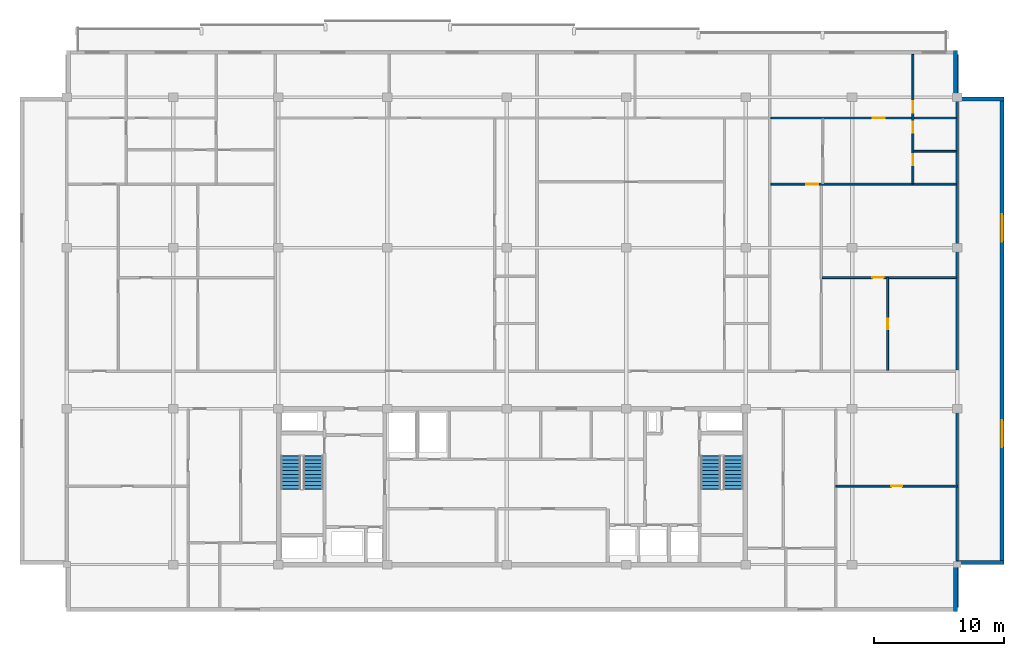
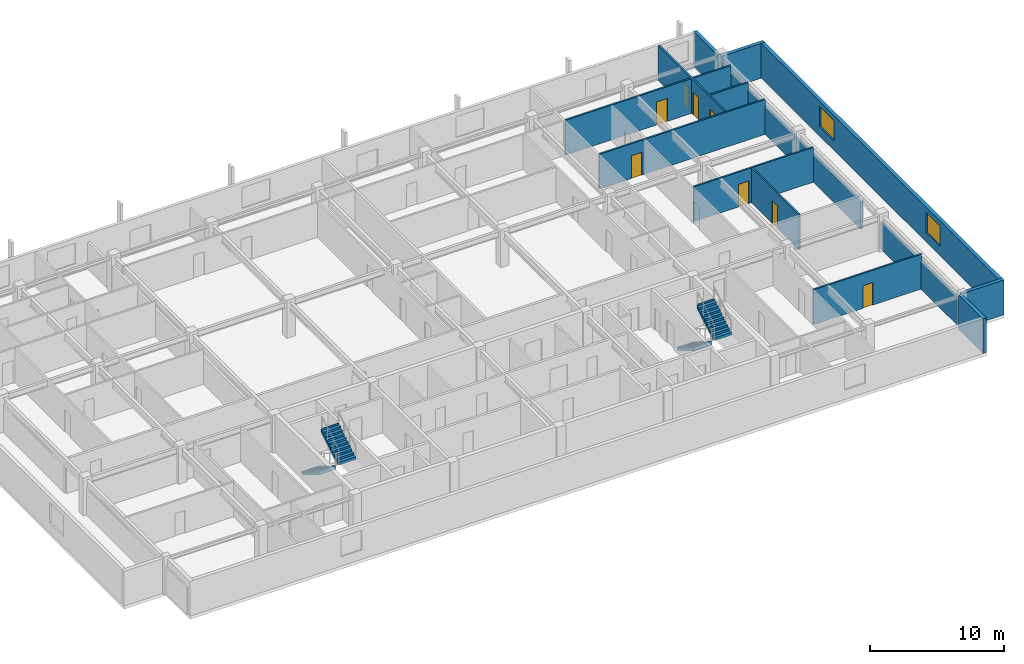
# One storey, part 8 of 10: 14 walls, 8 doors, 4 stair flights, 2 windows, 10 openings, 2 elements without a shape of their own.
"""IFC4 building model written with IfcOpenShell, lengths in metres."""

from ifc_helpers import new_model, si_unit, direction, frame, frame_2d, origin, place, context, subcontext, project, spatial, polyline, rectangle, outline, extrude, material, layer, layer_set, type_object, element, fill, aggregate, save


model = new_model("IFC4")

# Units and contexts
model_context = context("Model", 3, precision=1e-05, world=origin(), true_north=direction((0.0, 1.0)))
body_context = subcontext(model_context, "Body", "Model", "MODEL_VIEW")
ifc_project = project(units=[si_unit("LENGTHUNIT", "METRE"), si_unit("AREAUNIT", "SQUARE_METRE"), si_unit("VOLUMEUNIT", "CUBIC_METRE"), si_unit("PLANEANGLEUNIT", "RADIAN"), si_unit("MASSUNIT", "GRAM", prefix="KILO")], contexts=[model_context])

# Site, building, storey
site_placement = place(None, origin())
site = spatial("IfcSite", under=ifc_project, at=site_placement, CompositionType="ELEMENT")
building_placement = place(site_placement, origin())
building = spatial("IfcBuilding", under=site, at=building_placement, Name="Korimba Cascade Residences", CompositionType="ELEMENT")
storey_placement = place(building_placement, frame((0.0, 0.0, 239.0)))
storey = spatial("IfcBuildingStorey", under=building, at=storey_placement, Name="L69", CompositionType="ELEMENT", Elevation=239.0)

# Walls
ifc_material_1 = material(Name="Precast concrete C40/50", Category="concrete")
ifc_layer_1 = layer(ifc_material_1, 0.300048828125)
ifc_layer_set_1 = layer_set([ifc_layer_1], Name="Precast concrete C40/50")
wall_type_1 = type_object("IfcWallType", Name="EW-STONE-300", PredefinedType="STANDARD", material=ifc_layer_set_1)
wall_1_placement = place(storey_placement, frame((128.25, 51.60009765625, 0.0), z_axis=(0.0, 0.0, 1.0), x_axis=(0.0, 1.0, 0.0)))
element("IfcWall", 1, at=wall_1_placement, inside=storey, type_object=wall_type_1, Name="L69 T1 Perimeter Stone Wall E01", PredefinedType="STANDARD", context=body_context, shape_type="SweptSolid", body=[
    extrude(rectangle(XDim=3.599853515625, YDim=0.300048828125, at=frame_2d((1.7998046875, 0.0))), origin(), (0.0, 0.0, 1.0), 3.169921875),
])
wall_2_placement = place(storey_placement, frame((128.39990234375, 55.35009765625, 0.0), z_axis=(0.0, 0.0, 1.0), x_axis=(1.0, 0.0, 0.0)))
element("IfcWall", 2, at=wall_2_placement, inside=storey, type_object=wall_type_1, Name="L69 T1 Perimeter Stone Wall E02", PredefinedType="STANDARD", context=body_context, shape_type="SweptSolid", body=[
    extrude(rectangle(XDim=3.60009765625, YDim=0.300048828125, at=frame_2d((1.800048828125, 0.0))), origin(), (0.0, 0.0, 1.0), 3.169921875),
])

# Wall, openings, windows
wall_3_placement = place(storey_placement, frame((131.85009765625, 55.199951171875, 0.0), z_axis=(0.0, 0.0, 1.0), x_axis=(0.0, 1.0, 0.0)))
wall_3 = element("IfcWall", 3, at=wall_3_placement, inside=storey, type_object=wall_type_1, Name="L69 T1 Perimeter Stone Wall E03", PredefinedType="STANDARD", context=body_context, shape_type="SweptSolid", body=[
    extrude(rectangle(XDim=36.0, YDim=0.300048828125, at=frame_2d((18.0, 0.0))), origin(), (0.0, 0.0, 1.0), 3.169921875),
])
opening_1_placement = place(wall_3_placement, frame((9.030029296875, 0.0, 0.85009765625)))
opening_1 = element("IfcOpeningElement", 4, at=opening_1_placement, cuts=wall_3, Name="Opening W-03", PredefinedType="OPENING", context=body_context, shape_type="SweptSolid", body=[
    extrude(rectangle(XDim=2.10009765625, YDim=1.85009765625, at=frame_2d((1.050048828125, 0.925048828125))), frame((0.0, 0.16015625, 0.0), z_axis=(0.0, -1.0, 0.0), x_axis=(1.0, 0.0, 0.0)), (0.0, 0.0, 1.0), 0.320068359375),
])
opening_2_placement = place(wall_3_placement, frame((24.8701171875, 0.0, 0.85009765625)))
opening_2 = element("IfcOpeningElement", 5, at=opening_2_placement, cuts=wall_3, Name="Opening W-03", PredefinedType="OPENING", context=body_context, shape_type="SweptSolid", body=[
    extrude(rectangle(XDim=2.10009765625, YDim=1.85009765625, at=frame_2d((1.050048828125, 0.925048828125))), frame((0.0, 0.16015625, 0.0), z_axis=(0.0, -1.0, 0.0), x_axis=(1.0, 0.0, 0.0)), (0.0, 0.0, 1.0), 0.320068359375),
])
ifc_material_2 = material(Name="Double-Glazed Aluminium Window", Category="aluminium")
window_type = type_object("IfcWindowType", Name="WIN-CRN-2100", PartitioningType="DOUBLE_PANEL_HORIZONTAL", PredefinedType="WINDOW", material=ifc_material_2)
window_1_placement = place(opening_1_placement, origin())
window_1 = element("IfcWindow", 6, at=window_1_placement, inside=storey, type_object=window_type, Name="L69 T1 End View Window 3.1", OverallHeight=1.85009765625, OverallWidth=2.10009765625, PartitioningType="DOUBLE_PANEL_HORIZONTAL", PredefinedType="WINDOW", context=body_context, shape_type="SweptSolid", body=[
    extrude(rectangle(XDim=2.10009765625, YDim=1.85009765625, at=frame_2d((1.050048828125, 0.925048828125))), frame((0.0, 0.030029296875, 0.0), z_axis=(0.0, -1.0, 0.0), x_axis=(1.0, 0.0, 0.0)), (0.0, 0.0, 1.0), 0.06005859375),
])
fill(opening_1, window_1)
window_2_placement = place(opening_2_placement, origin())
window_2 = element("IfcWindow", 7, at=window_2_placement, inside=storey, type_object=window_type, Name="L69 T1 End View Window 3.2", OverallHeight=1.85009765625, OverallWidth=2.10009765625, PartitioningType="DOUBLE_PANEL_HORIZONTAL", PredefinedType="WINDOW", context=body_context, shape_type="SweptSolid", body=[
    extrude(rectangle(XDim=2.10009765625, YDim=1.85009765625, at=frame_2d((1.050048828125, 0.925048828125))), frame((0.0, 0.030029296875, 0.0), z_axis=(0.0, -1.0, 0.0), x_axis=(1.0, 0.0, 0.0)), (0.0, 0.0, 1.0), 0.06005859375),
])
fill(opening_2, window_2)

# Walls
for number, where, z_axis, x_axis, name in (
    (8, (132.0, 91.050048828125, 0.0), (0.0, 0.0, 1.0), (-1.0, 0.0, 0.0), "L69 T1 Perimeter Stone Wall E04"),
    (9, (128.25, 91.199951171875, 0.0), (0.0, 0.0, 1.0), (0.0, 1.0, 0.0), "L69 T1 Perimeter Stone Wall E05"),
):
    element("IfcWall", number, at=place(storey_placement, frame(where, z_axis=z_axis, x_axis=x_axis)), inside=storey, type_object=wall_type_1, Name=name, PredefinedType="STANDARD", context=body_context, shape_type="SweptSolid", body=[
        extrude(rectangle(XDim=3.60009765625, YDim=0.300048828125, at=frame_2d((1.800048828125, 0.0))), origin(), (0.0, 0.0, 1.0), 3.169921875),
    ])
ifc_layer_2 = layer(ifc_material_1, 0.199951171875)
ifc_layer_set_2 = layer_set([ifc_layer_2], Name="Precast concrete C40/50")
wall_type_2 = type_object("IfcWallType", Name="WAL-IT-200", PredefinedType="PARTITIONING", material=ifc_layer_set_2)
wall_4_placement = place(storey_placement, frame((128.39990234375, 51.89990234375, 0.0), z_axis=(0.0, 0.0, 1.0), x_axis=(0.0, 1.0, 0.0)))
element("IfcWall", 10, at=wall_4_placement, inside=storey, type_object=wall_type_2, Name="L69 Partition Wall WAL-L69-T1-FE-WR", PredefinedType="PARTITIONING", context=body_context, shape_type="SweptSolid", body=[
    extrude(rectangle(XDim=15.300048828125, YDim=0.199951171875, at=frame_2d((7.64990234375, 0.0))), origin(), (0.0, 0.0, 1.0), 2.47705078125),
])
wall_5_placement = place(storey_placement, frame((128.39990234375, 70.179931640625, 0.0), z_axis=(0.0, 0.0, 1.0), x_axis=(0.0, 1.0, 0.0)))
element("IfcWall", 11, at=wall_5_placement, inside=storey, type_object=wall_type_2, Name="L69 Partition Wall WAL-L69-T1-BNDWR", PredefinedType="PARTITIONING", context=body_context, shape_type="SweptSolid", body=[
    extrude(rectangle(XDim=24.320068359375, YDim=0.199951171875, at=frame_2d((12.16015625, 0.0))), origin(), (0.0, 0.0, 1.0), 2.47705078125),
])

# Wall, opening, door
ifc_material_3 = material(Name="Insulated Acoustic Stud Partition", Category="gypsum")
ifc_layer_3 = layer(ifc_material_3, 0.14990234375)
ifc_layer_set_3 = layer_set([ifc_layer_3], Name="Insulated Acoustic Stud Partition")
wall_type_3 = type_object("IfcWallType", Name="WAL-PART-150", PredefinedType="PARTITIONING", material=ifc_layer_set_3)
wall_6_placement = place(storey_placement, frame((119.050048828125, 61.25, 0.0), z_axis=(0.0, 0.0, 1.0), x_axis=(1.0, 0.0, 0.0)))
wall_6 = element("IfcWall", 12, at=wall_6_placement, inside=storey, type_object=wall_type_3, Name="L69 Partition Wall WAL-L69-T1-FE-STH", PredefinedType="PARTITIONING", context=body_context, shape_type="SweptSolid", body=[
    extrude(rectangle(XDim=9.349853515625, YDim=0.14990234375, at=frame_2d((4.6748046875, 0.0))), origin(), (0.0, 0.0, 1.0), 3.169921875),
])
opening_3_placement = place(wall_6_placement, frame((4.2548828125, 0.0, 0.0)))
opening_3 = element("IfcOpeningElement", 13, at=opening_3_placement, cuts=wall_6, Name="Opening D-BT1", PredefinedType="OPENING", context=body_context, shape_type="SweptSolid", body=[
    extrude(rectangle(XDim=0.840087890625, YDim=2.0400390625, at=frame_2d((0.419921875, 1.02001953125))), frame((0.0, 0.0849609375, 0.0), z_axis=(0.0, -1.0, 0.0), x_axis=(1.0, 0.0, 0.0)), (0.0, 0.0, 1.0), 0.169921875),
])
ifc_material_4 = material(Name="Moisture-Resistant Bathroom Timber Door", Category="wood")
door_type_1 = type_object("IfcDoorType", Name="DR-INT-850", OperationType="NOTDEFINED", PredefinedType="DOOR", material=ifc_material_4)
door_1_placement = place(opening_3_placement, origin())
door_1 = element("IfcDoor", 14, at=door_1_placement, inside=storey, type_object=door_type_1, Name="L69-T1-FE Dressing Store Door", OperationType="SINGLE_SWING_RIGHT", OverallHeight=2.0400390625, OverallWidth=0.840087890625, PredefinedType="DOOR", context=body_context, shape_type="SweptSolid", body=[
    extrude(rectangle(XDim=0.840087890625, YDim=2.0400390625, at=frame_2d((0.419921875, 1.02001953125))), frame((0.0, 0.02490234375, 0.0), z_axis=(0.0, -1.0, 0.0), x_axis=(1.0, 0.0, 0.0)), (0.0, 0.0, 1.0), 0.050048828125),
])
fill(opening_3, door_1)

wall_7_placement = place(storey_placement, frame((123.039306640625, 70.159912109375, 0.0), z_axis=(0.0, 0.0, 1.0), x_axis=(0.0, 1.0, 0.0)))
wall_7 = element("IfcWall", 15, at=wall_7_placement, inside=storey, type_object=wall_type_3, Name="L69 Partition Wall WAL-L69-T1-U04-FMV", PredefinedType="PARTITIONING", context=body_context, shape_type="SweptSolid", body=[
    extrude(rectangle(XDim=7.150146484375, YDim=0.14990234375, at=frame_2d((3.5751953125, 0.0))), origin(), (0.0, 0.0, 1.0), 3.169921875),
])
opening_4_placement = place(wall_7_placement, frame((3.155029296875, 0.0, 0.0)))
opening_4 = element("IfcOpeningElement", 16, at=opening_4_placement, cuts=wall_7, Name="Opening D-BT1", PredefinedType="OPENING", context=body_context, shape_type="SweptSolid", body=[
    extrude(rectangle(XDim=0.840087890625, YDim=2.0400390625, at=frame_2d((0.419921875, 1.02001953125))), frame((0.0, 0.0849609375, 0.0), z_axis=(0.0, -1.0, 0.0), x_axis=(1.0, 0.0, 0.0)), (0.0, 0.0, 1.0), 0.169921875),
])
door_2_placement = place(opening_4_placement, origin())
door_2 = element("IfcDoor", 17, at=door_2_placement, inside=storey, type_object=door_type_1, Name="L69-T1-U04 Wardrobe Door", OperationType="SINGLE_SWING_RIGHT", OverallHeight=2.0400390625, OverallWidth=0.840087890625, PredefinedType="DOOR", context=body_context, shape_type="SweptSolid", body=[
    extrude(rectangle(XDim=0.840087890625, YDim=2.0400390625, at=frame_2d((0.419921875, 1.02001953125))), frame((0.0, 0.02490234375, 0.0), z_axis=(0.0, -1.0, 0.0), x_axis=(1.0, 0.0, 0.0)), (0.0, 0.0, 1.0), 0.050048828125),
])
fill(opening_4, door_2)

wall_8_placement = place(storey_placement, frame((117.998779296875, 77.31005859375, 0.0), z_axis=(0.0, 0.0, 1.0), x_axis=(1.0, 0.0, 0.0)))
wall_8 = element("IfcWall", 18, at=wall_8_placement, inside=storey, type_object=wall_type_3, Name="L69 Partition Wall WAL-L69-T1-U04-FMH", PredefinedType="PARTITIONING", context=body_context, shape_type="SweptSolid", body=[
    extrude(rectangle(XDim=10.3212890625, YDim=0.14990234375, at=frame_2d((5.16064453125, 0.0))), origin(), (0.0, 0.0, 1.0), 3.169921875),
])
opening_5_placement = place(wall_8_placement, frame((3.868896484375, 0.0, 0.0)))
opening_5 = element("IfcOpeningElement", 19, at=opening_5_placement, cuts=wall_8, Name="Opening D-IN2", PredefinedType="OPENING", context=body_context, shape_type="SweptSolid", body=[
    extrude(rectangle(XDim=0.8798828125, YDim=2.06005859375, at=frame_2d((0.43994140625, 1.030029296875))), frame((0.0, 0.0849609375, 0.0), z_axis=(0.0, -1.0, 0.0), x_axis=(1.0, 0.0, 0.0)), (0.0, 0.0, 1.0), 0.169921875),
])
ifc_material_5 = material(Name="Acoustic Timber Bedroom Door", Category="wood")
door_type_2 = type_object("IfcDoorType", Name="DR-INT-880", OperationType="NOTDEFINED", PredefinedType="DOOR", material=ifc_material_5)
door_3_placement = place(opening_5_placement, origin())
door_3 = element("IfcDoor", 20, at=door_3_placement, inside=storey, type_object=door_type_2, Name="L69-T1-U04 Library Salon Door", OperationType="SINGLE_SWING_LEFT", OverallHeight=2.06005859375, OverallWidth=0.8798828125, PredefinedType="DOOR", context=body_context, shape_type="SweptSolid", body=[
    extrude(rectangle(XDim=0.8798828125, YDim=2.06005859375, at=frame_2d((0.43994140625, 1.030029296875))), frame((0.0, 0.02490234375, 0.0), z_axis=(0.0, -1.0, 0.0), x_axis=(1.0, 0.0, 0.0)), (0.0, 0.0, 1.0), 0.050048828125),
])
fill(opening_5, door_3)

# Wall
wall_9_placement = place(storey_placement, frame((125.0400390625, 87.0400390625, 0.0), z_axis=(0.0, 0.0, 1.0), x_axis=(1.0, 0.0, 0.0)))
element("IfcWall", 21, at=wall_9_placement, inside=storey, type_object=wall_type_3, Name="L69 Partition Wall WAL-L69-T1-U04-BLDIV", PredefinedType="PARTITIONING", context=body_context, shape_type="SweptSolid", body=[
    extrude(rectangle(XDim=3.280029296875, YDim=0.14990234375, at=frame_2d((1.64013671875, 0.0))), origin(), (0.0, 0.0, 1.0), 3.169921875),
])

# Wall, openings, doors
wall_10_placement = place(storey_placement, frame((124.97998046875, 84.5400390625, 0.0), z_axis=(0.0, 0.0, 1.0), x_axis=(0.0, 1.0, 0.0)))
wall_10 = element("IfcWall", 22, at=wall_10_placement, inside=storey, type_object=wall_type_3, Name="L69 Partition Wall WAL-L69-T1-U04-V1", PredefinedType="PARTITIONING", context=body_context, shape_type="SweptSolid", body=[
    extrude(rectangle(XDim=9.9599609375, YDim=0.14990234375, at=frame_2d((4.97998046875, 0.0))), origin(), (0.0, 0.0, 1.0), 3.169921875),
])
opening_6_placement = place(wall_10_placement, frame((1.430419921875, 0.0, 0.0)))
opening_6 = element("IfcOpeningElement", 23, at=opening_6_placement, cuts=wall_10, Name="Opening D-BT1", PredefinedType="OPENING", context=body_context, shape_type="SweptSolid", body=[
    extrude(rectangle(XDim=0.840087890625, YDim=2.0400390625, at=frame_2d((0.419921875, 1.02001953125))), frame((0.0, 0.0849609375, 0.0), z_axis=(0.0, -1.0, 0.0), x_axis=(1.0, 0.0, 0.0)), (0.0, 0.0, 1.0), 0.169921875),
])
opening_7_placement = place(wall_10_placement, frame((3.919921875, 0.0, 0.0)))
opening_7 = element("IfcOpeningElement", 24, at=opening_7_placement, cuts=wall_10, Name="Opening D-BT1", PredefinedType="OPENING", context=body_context, shape_type="SweptSolid", body=[
    extrude(rectangle(XDim=0.840087890625, YDim=2.0400390625, at=frame_2d((0.419921875, 1.02001953125))), frame((0.0, 0.0849609375, 0.0), z_axis=(0.0, -1.0, 0.0), x_axis=(1.0, 0.0, 0.0)), (0.0, 0.0, 1.0), 0.169921875),
])
opening_8_placement = place(wall_10_placement, frame((5.47998046875, 0.0, 0.0)))
opening_8 = element("IfcOpeningElement", 25, at=opening_8_placement, cuts=wall_10, Name="Opening D-IN2", PredefinedType="OPENING", context=body_context, shape_type="SweptSolid", body=[
    extrude(rectangle(XDim=0.8798828125, YDim=2.06005859375, at=frame_2d((0.43994140625, 1.030029296875))), frame((0.0, 0.0849609375, 0.0), z_axis=(0.0, -1.0, 0.0), x_axis=(1.0, 0.0, 0.0)), (0.0, 0.0, 1.0), 0.169921875),
])
door_4_placement = place(opening_6_placement, origin())
door_4 = element("IfcDoor", 26, at=door_4_placement, inside=storey, type_object=door_type_1, Name="L69-T1-U04 Bathroom Door", OperationType="SINGLE_SWING_RIGHT", OverallHeight=2.0400390625, OverallWidth=0.840087890625, PredefinedType="DOOR", context=body_context, shape_type="SweptSolid", body=[
    extrude(rectangle(XDim=0.840087890625, YDim=2.0400390625, at=frame_2d((0.419921875, 1.02001953125))), frame((0.0, 0.02490234375, 0.0), z_axis=(0.0, -1.0, 0.0), x_axis=(1.0, 0.0, 0.0)), (0.0, 0.0, 1.0), 0.050048828125),
])
fill(opening_6, door_4)
door_5_placement = place(opening_7_placement, origin())
door_5 = element("IfcDoor", 27, at=door_5_placement, inside=storey, type_object=door_type_1, Name="L69-T1-U04 Laundry Door", OperationType="SINGLE_SWING_LEFT", OverallHeight=2.0400390625, OverallWidth=0.840087890625, PredefinedType="DOOR", context=body_context, shape_type="SweptSolid", body=[
    extrude(rectangle(XDim=0.840087890625, YDim=2.0400390625, at=frame_2d((0.419921875, 1.02001953125))), frame((0.0, 0.02490234375, 0.0), z_axis=(0.0, -1.0, 0.0), x_axis=(1.0, 0.0, 0.0)), (0.0, 0.0, 1.0), 0.050048828125),
])
fill(opening_7, door_5)
door_6_placement = place(opening_8_placement, origin())
door_6 = element("IfcDoor", 28, at=door_6_placement, inside=storey, type_object=door_type_2, Name="L69-T1-U04 Bedroom 1 Door", OperationType="SINGLE_SWING_RIGHT", OverallHeight=2.06005859375, OverallWidth=0.8798828125, PredefinedType="DOOR", context=body_context, shape_type="SweptSolid", body=[
    extrude(rectangle(XDim=0.8798828125, YDim=2.06005859375, at=frame_2d((0.43994140625, 1.030029296875))), frame((0.0, 0.02490234375, 0.0), z_axis=(0.0, -1.0, 0.0), x_axis=(1.0, 0.0, 0.0)), (0.0, 0.0, 1.0), 0.050048828125),
])
fill(opening_8, door_6)

# Wall, opening, door
wall_11_placement = place(storey_placement, frame((114.048828125, 84.5, 0.0), z_axis=(0.0, 0.0, 1.0), x_axis=(1.0, 0.0, 0.0)))
wall_11 = element("IfcWall", 29, at=wall_11_placement, inside=storey, type_object=wall_type_3, Name="L69 Partition Wall WAL-L69-T1-U04-MW", PredefinedType="PARTITIONING", context=body_context, shape_type="SweptSolid", body=[
    extrude(rectangle(XDim=14.271240234375, YDim=0.14990234375, at=frame_2d((7.1357421875, 0.0))), origin(), (0.0, 0.0, 1.0), 3.169921875),
])
opening_9_placement = place(wall_11_placement, frame((2.719970703125, 0.0, 0.0)))
opening_9 = element("IfcOpeningElement", 30, at=opening_9_placement, cuts=wall_11, Name="Opening D-IN1", PredefinedType="OPENING", context=body_context, shape_type="SweptSolid", body=[
    extrude(rectangle(XDim=0.919921875, YDim=2.080078125, at=frame_2d((0.4599609375, 1.0400390625))), frame((0.0, 0.0849609375, 0.0), z_axis=(0.0, -1.0, 0.0), x_axis=(1.0, 0.0, 0.0)), (0.0, 0.0, 1.0), 0.169921875),
])
ifc_material_6 = material(Name="Acoustic Timber Living Door", Category="wood")
door_type_3 = type_object("IfcDoorType", Name="DR-INT-920", OperationType="NOTDEFINED", PredefinedType="DOOR", material=ifc_material_6)
door_7_placement = place(opening_9_placement, origin())
door_7 = element("IfcDoor", 31, at=door_7_placement, inside=storey, type_object=door_type_3, Name="L69-T1-U04 Kitchen Archway Door", OperationType="SINGLE_SWING_LEFT", OverallHeight=2.080078125, OverallWidth=0.919921875, PredefinedType="DOOR", context=body_context, shape_type="SweptSolid", body=[
    extrude(rectangle(XDim=0.919921875, YDim=2.080078125, at=frame_2d((0.4599609375, 1.0400390625))), frame((0.0, 0.02490234375, 0.0), z_axis=(0.0, -1.0, 0.0), x_axis=(1.0, 0.0, 0.0)), (0.0, 0.0, 1.0), 0.050048828125),
])
fill(opening_9, door_7)

wall_12_placement = place(storey_placement, frame((114.048828125, 89.60009765625, 0.0), z_axis=(0.0, 0.0, 1.0), x_axis=(1.0, 0.0, 0.0)))
wall_12 = element("IfcWall", 32, at=wall_12_placement, inside=storey, type_object=wall_type_3, Name="L69 Partition Wall WAL-L69-T1-U04-HZ", PredefinedType="PARTITIONING", context=body_context, shape_type="SweptSolid", body=[
    extrude(rectangle(XDim=14.271240234375, YDim=0.14990234375, at=frame_2d((7.1357421875, 0.0))), origin(), (0.0, 0.0, 1.0), 3.169921875),
])
opening_10_placement = place(wall_12_placement, frame((7.843017578125, 0.0, 0.0)))
opening_10 = element("IfcOpeningElement", 33, at=opening_10_placement, cuts=wall_12, Name="Opening D-IN0", PredefinedType="OPENING", context=body_context, shape_type="SweptSolid", body=[
    extrude(rectangle(XDim=0.93994140625, YDim=2.10009765625, at=frame_2d((0.469970703125, 1.050048828125))), frame((0.0, 0.0849609375, 0.0), z_axis=(0.0, -1.0, 0.0), x_axis=(1.0, 0.0, 0.0)), (0.0, 0.0, 1.0), 0.169921875),
])
ifc_material_7 = material(Name="Acoustic Timber Living Archway Door", Category="wood")
door_type_4 = type_object("IfcDoorType", Name="DR-INT-950", OperationType="NOTDEFINED", PredefinedType="DOOR", material=ifc_material_7)
door_8_placement = place(opening_10_placement, origin())
door_8 = element("IfcDoor", 34, at=door_8_placement, inside=storey, type_object=door_type_4, Name="L69-T1-U04 Living Archway Door", OperationType="SINGLE_SWING_RIGHT", OverallHeight=2.10009765625, OverallWidth=0.93994140625, PredefinedType="DOOR", context=body_context, shape_type="SweptSolid", body=[
    extrude(rectangle(XDim=0.93994140625, YDim=2.10009765625, at=frame_2d((0.469970703125, 1.050048828125))), frame((0.0, 0.02490234375, 0.0), z_axis=(0.0, -1.0, 0.0), x_axis=(1.0, 0.0, 0.0)), (0.0, 0.0, 1.0), 0.050048828125),
])
fill(opening_10, door_8)

# Stair, stair flights
ifc_material_8 = material(Name="Concrete C50/60", Category="concrete")
stair_type_1 = type_object("IfcStairType", Name="STR-W1-20R-1725", PredefinedType="HALF_TURN_STAIR", material=ifc_material_8)
stair_1_placement = place(storey_placement, origin())
stair_1 = element("IfcStair", 35, at=stair_1_placement, inside=storey, type_object=stair_type_1, Name="L69 Tower 1 West Fire Stair ST-W1", PredefinedType="HALF_TURN_STAIR")
stair_flight_type = type_object("IfcStairFlightType", Name="STF-DL-20R-1725-1520", PredefinedType="STRAIGHT", material=ifc_material_8)
stair_flight_1_placement = place(storey_placement, frame((77.06005859375, 63.550048828125, 0.0), z_axis=(0.0, 0.0, 1.0), x_axis=(0.0, -1.0, 0.0)))
stair_flight_1 = element("IfcStairFlight", 36, at=stair_flight_1_placement, type_object=stair_flight_type, Name="ST-W1 flight 1", NumberOfRisers=10, NumberOfTreads=9, PredefinedType="STRAIGHT", RiserHeight=0.1725, TreadLength=0.28, context=body_context, shape_type="SweptSolid", body=[
    extrude(outline(polyline([(-0.0380859375, 0.0), (0.0, 0.172607421875), (0.280029296875, 0.172607421875), (0.280029296875, 0.344970703125), (0.56005859375, 0.344970703125), (0.56005859375, 0.517578125), (0.840087890625, 0.517578125), (0.840087890625, 0.68994140625), (1.1201171875, 0.68994140625), (1.1201171875, 0.862548828125), (1.39990234375, 0.862548828125), (1.39990234375, 1.034912109375), (1.679931640625, 1.034912109375), (1.679931640625, 1.20751953125), (1.9599609375, 1.20751953125), (1.9599609375, 1.3798828125), (2.239990234375, 1.3798828125), (2.239990234375, 1.552490234375), (2.52001953125, 1.552490234375), (2.52001953125, 1.72509765625), (2.55810546875, 1.72509765625), (2.55810546875, 1.37646484375), (0.285888671875, 0.0), (0.285888671875, -0.0380859375), (-0.0380859375, -0.0380859375), (-0.0380859375, 0.0)])), frame((0.0, 0.760009765625, 0.0), z_axis=(0.0, -1.0, 0.0), x_axis=(1.0, 0.0, 0.0)), (0.0, 0.0, 1.0), 1.52001953125),
])
stair_flight_2_placement = place(storey_placement, frame((78.780029296875, 61.030029296875, 1.72509765625), z_axis=(0.0, 0.0, 1.0), x_axis=(0.0, 1.0, 0.0)))
stair_flight_2 = element("IfcStairFlight", 37, at=stair_flight_2_placement, type_object=stair_flight_type, Name="ST-W1 flight 2", NumberOfRisers=10, NumberOfTreads=9, PredefinedType="STRAIGHT", RiserHeight=0.1725, TreadLength=0.28, context=body_context, shape_type="SweptSolid", body=[
    extrude(outline(polyline([(-0.0380859375, 0.0), (0.0, 0.172607421875), (0.280029296875, 0.172607421875), (0.280029296875, 0.344970703125), (0.56005859375, 0.344970703125), (0.56005859375, 0.517578125), (0.840087890625, 0.517578125), (0.840087890625, 0.68994140625), (1.1201171875, 0.68994140625), (1.1201171875, 0.862548828125), (1.39990234375, 0.862548828125), (1.39990234375, 1.034912109375), (1.679931640625, 1.034912109375), (1.679931640625, 1.20751953125), (1.9599609375, 1.20751953125), (1.9599609375, 1.3798828125), (2.239990234375, 1.3798828125), (2.239990234375, 1.552490234375), (2.52001953125, 1.552490234375), (2.52001953125, 1.72509765625), (2.55810546875, 1.72509765625), (2.55810546875, 1.37646484375), (0.285888671875, 0.0), (0.285888671875, -0.0380859375), (-0.0380859375, -0.0380859375), (-0.0380859375, 0.0)])), frame((0.0, 0.760009765625, 0.0), z_axis=(0.0, -1.0, 0.0), x_axis=(1.0, 0.0, 0.0)), (0.0, 0.0, 1.0), 1.52001953125),
])
aggregate(stair_1, [stair_flight_1, stair_flight_2])

stair_type_2 = type_object("IfcStairType", Name="STR-W2-20R-1725", PredefinedType="HALF_TURN_STAIR", material=ifc_material_8)
stair_2_placement = place(storey_placement, origin())
stair_2 = element("IfcStair", 38, at=stair_2_placement, inside=storey, type_object=stair_type_2, Name="L69 Tower 1 East Fire Stair ST-W2", PredefinedType="HALF_TURN_STAIR")
stair_flight_3_placement = place(storey_placement, frame((109.419921875, 63.550048828125, 0.0), z_axis=(0.0, 0.0, 1.0), x_axis=(0.0, -1.0, 0.0)))
stair_flight_3 = element("IfcStairFlight", 39, at=stair_flight_3_placement, type_object=stair_flight_type, Name="ST-W2 flight 1", NumberOfRisers=10, NumberOfTreads=9, PredefinedType="STRAIGHT", RiserHeight=0.1725, TreadLength=0.28, context=body_context, shape_type="SweptSolid", body=[
    extrude(outline(polyline([(-0.0380859375, 0.0), (0.0, 0.172607421875), (0.280029296875, 0.172607421875), (0.280029296875, 0.344970703125), (0.56005859375, 0.344970703125), (0.56005859375, 0.517578125), (0.840087890625, 0.517578125), (0.840087890625, 0.68994140625), (1.1201171875, 0.68994140625), (1.1201171875, 0.862548828125), (1.39990234375, 0.862548828125), (1.39990234375, 1.034912109375), (1.679931640625, 1.034912109375), (1.679931640625, 1.20751953125), (1.9599609375, 1.20751953125), (1.9599609375, 1.3798828125), (2.239990234375, 1.3798828125), (2.239990234375, 1.552490234375), (2.52001953125, 1.552490234375), (2.52001953125, 1.72509765625), (2.55810546875, 1.72509765625), (2.55810546875, 1.37646484375), (0.285888671875, 0.0), (0.285888671875, -0.0380859375), (-0.0380859375, -0.0380859375), (-0.0380859375, 0.0)])), frame((0.0, 0.760009765625, 0.0), z_axis=(0.0, -1.0, 0.0), x_axis=(1.0, 0.0, 0.0)), (0.0, 0.0, 1.0), 1.52001953125),
])
stair_flight_4_placement = place(storey_placement, frame((111.139892578125, 61.030029296875, 1.72509765625), z_axis=(0.0, 0.0, 1.0), x_axis=(0.0, 1.0, 0.0)))
stair_flight_4 = element("IfcStairFlight", 40, at=stair_flight_4_placement, type_object=stair_flight_type, Name="ST-W2 flight 2", NumberOfRisers=10, NumberOfTreads=9, PredefinedType="STRAIGHT", RiserHeight=0.1725, TreadLength=0.28, context=body_context, shape_type="SweptSolid", body=[
    extrude(outline(polyline([(-0.0380859375, 0.0), (0.0, 0.172607421875), (0.280029296875, 0.172607421875), (0.280029296875, 0.344970703125), (0.56005859375, 0.344970703125), (0.56005859375, 0.517578125), (0.840087890625, 0.517578125), (0.840087890625, 0.68994140625), (1.1201171875, 0.68994140625), (1.1201171875, 0.862548828125), (1.39990234375, 0.862548828125), (1.39990234375, 1.034912109375), (1.679931640625, 1.034912109375), (1.679931640625, 1.20751953125), (1.9599609375, 1.20751953125), (1.9599609375, 1.3798828125), (2.239990234375, 1.3798828125), (2.239990234375, 1.552490234375), (2.52001953125, 1.552490234375), (2.52001953125, 1.72509765625), (2.55810546875, 1.72509765625), (2.55810546875, 1.37646484375), (0.285888671875, 0.0), (0.285888671875, -0.0380859375), (-0.0380859375, -0.0380859375), (-0.0380859375, 0.0)])), frame((0.0, 0.760009765625, 0.0), z_axis=(0.0, -1.0, 0.0), x_axis=(1.0, 0.0, 0.0)), (0.0, 0.0, 1.0), 1.52001953125),
])
aggregate(stair_2, [stair_flight_3, stair_flight_4])

save(model, "model.ifc")
